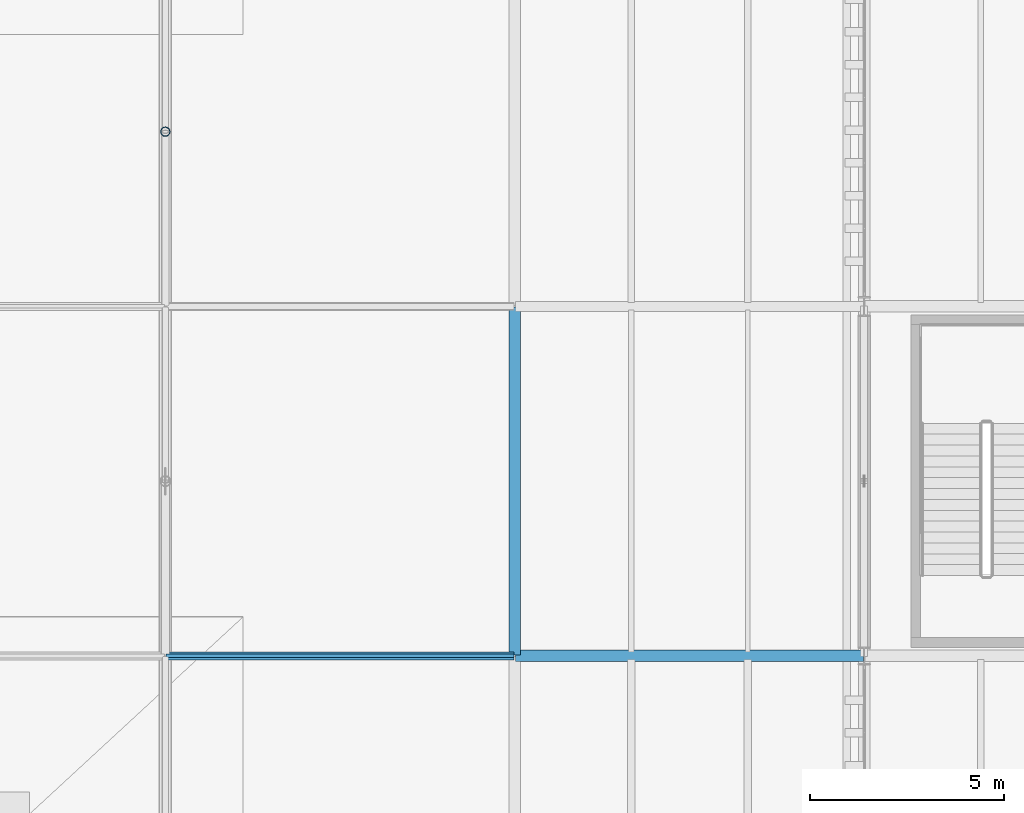
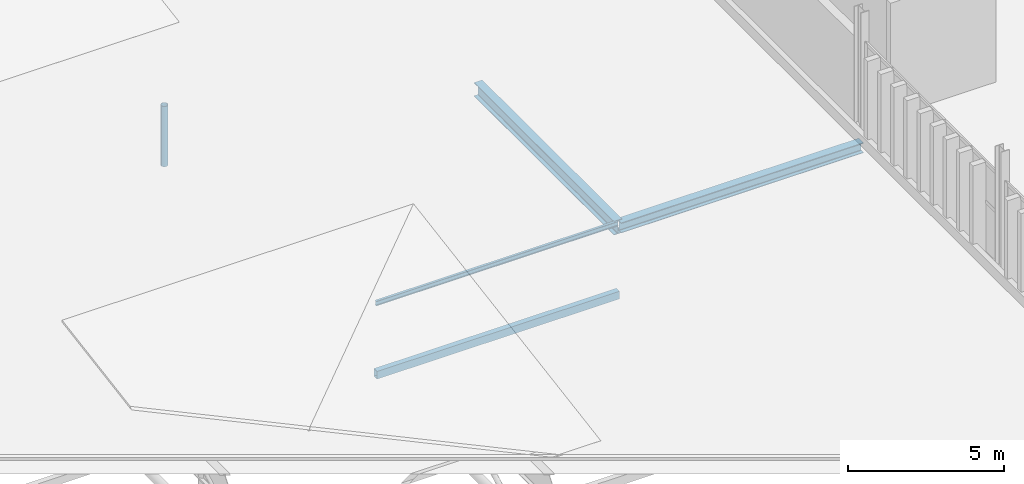
# One storey, part 88 of 196: 3 members, 2 beams.
"""IFC4 building model written with IfcOpenShell, lengths in metres."""

from ifc_helpers import new_model, si_unit, direction, frame, origin, origin_2d, place, context, subcontext, project, spatial, hollow_rectangle, hollow_circle, i_section, extrude, material, material_profile, profile_set, type_object, element, save


model = new_model("IFC4")

# Units and contexts
model_context = context("Model", 3, precision=1e-05, world=origin(), true_north=direction((0.0, 1.0)))
body_context = subcontext(model_context, "Body", "Model", "MODEL_VIEW")
ifc_project = project(units=[si_unit("LENGTHUNIT", "METRE"), si_unit("AREAUNIT", "SQUARE_METRE"), si_unit("VOLUMEUNIT", "CUBIC_METRE"), si_unit("PLANEANGLEUNIT", "RADIAN"), si_unit("MASSUNIT", "GRAM", prefix="KILO")], contexts=[model_context])

# Site, building, storey
site_placement = place(None, origin())
site = spatial("IfcSite", under=ifc_project, at=site_placement, CompositionType="ELEMENT")
building_placement = place(site_placement, origin())
building = spatial("IfcBuilding", under=site, at=building_placement, Name="Barlavento Convention Centre", CompositionType="ELEMENT")
storey_placement = place(building_placement, frame((0.0, 0.0, 18.0)))
storey = spatial("IfcBuildingStorey", under=building, at=storey_placement, Name="L03", CompositionType="ELEMENT", Elevation=18.0)

# Beams
ifc_material = material(Name="Steel S355", Category="steel")
ifc_material_profile_1 = material_profile(ifc_material, i_section(OverallWidth=0.300048828125, OverallDepth=0.5400390625, WebThickness=0.012451171875, FlangeThickness=0.02392578125, FilletRadius=0.027099609375, at=origin_2d()), Name="HEA 550")
ifc_profile_set_1 = profile_set([ifc_material_profile_1], Name="Steel S355")
beam_type_1 = type_object("IfcBeamType", Name="STR-BM-PRI-HEA550", PredefinedType="BEAM", material=ifc_profile_set_1)
beam_1_placement = place(storey_placement, frame((117.0, 81.02001953125, -0.614990234375), z_axis=(0.0, 1.0, 0.0), x_axis=(-1.0, 0.0, 0.0)))
element("IfcBeam", 1, at=beam_1_placement, inside=storey, type_object=beam_type_1, Name="L03 grid girder BG19", PredefinedType="BEAM", context=body_context, shape_type="SweptSolid", body=[
    extrude(i_section(OverallWidth=0.300048828125, OverallDepth=0.5400390625, WebThickness=0.012451171875, FlangeThickness=0.02392578125, FilletRadius=0.027099609375, at=origin_2d()), origin(), (0.0, 0.0, 1.0), 8.9599609375),
])
ifc_material_profile_2 = material_profile(ifc_material, i_section(OverallWidth=0.300048828125, OverallDepth=0.39990234375, WebThickness=0.013427734375, FlangeThickness=0.02392578125, FilletRadius=0.027099609375, at=origin_2d()), Name="HEB 400")
ifc_profile_set_2 = profile_set([ifc_material_profile_2], Name="Steel S355")
beam_type_2 = type_object("IfcBeamType", Name="STR-BM-PRI-HEB400", PredefinedType="BEAM", material=ifc_profile_set_2)
beam_2_placement = place(storey_placement, frame((117.02001953125, 81.0, -0.56005859375), z_axis=(1.0, 0.0, 0.0), x_axis=(0.0, 1.0, 0.0)))
element("IfcBeam", 2, at=beam_2_placement, inside=storey, type_object=beam_type_2, Name="L03 primary girder BG11", PredefinedType="BEAM", context=body_context, shape_type="SweptSolid", body=[
    extrude(i_section(OverallWidth=0.300048828125, OverallDepth=0.39990234375, WebThickness=0.013427734375, FlangeThickness=0.02392578125, FilletRadius=0.027099609375, at=origin_2d()), origin(), (0.0, 0.0, 1.0), 8.9599609375),
])

# Members
ifc_material_profile_3 = material_profile(ifc_material, hollow_rectangle(XDim=0.199951171875, YDim=0.300048828125, WallThickness=0.012451171875, at=origin_2d()), Name="RHS 300x200x12.5")
ifc_profile_set_3 = profile_set([ifc_material_profile_3], Name="Steel S355")
member_type_1 = type_object("IfcMemberType", Name="STR-MEM-COL-RHS300", PredefinedType="COLLAR", material=ifc_profile_set_3)
member_1_placement = place(storey_placement, frame((108.02001953125, 81.0, -3.199951171875), z_axis=(1.0, 0.0, 0.0), x_axis=(0.0, 1.0, 0.0)))
element("IfcMember", 3, at=member_1_placement, inside=storey, type_object=member_type_1, Name="Exhibition space frame transverse chord", PredefinedType="COLLAR", context=body_context, shape_type="SweptSolid", body=[
    extrude(hollow_rectangle(XDim=0.199951171875, YDim=0.300048828125, WallThickness=0.012451171875, at=origin_2d()), origin(), (0.0, 0.0, 1.0), 8.9599609375),
])
ifc_material_profile_4 = material_profile(ifc_material, i_section(OverallWidth=0.091064453125, OverallDepth=0.179931640625, WebThickness=0.00537109375, FlangeThickness=0.008056640625, FilletRadius=0.009033203125, at=origin_2d()), Name="IPE 180")
ifc_profile_set_4 = profile_set([ifc_material_profile_4], Name="Steel S355")
member_type_2 = type_object("IfcMemberType", Name="STR-MEM-PUR-IPE180", PredefinedType="PURLIN", material=ifc_profile_set_4)
member_2_placement = place(storey_placement, frame((108.02001953125, 81.0, -0.43505859375), z_axis=(1.0, 0.0, 0.0), x_axis=(0.0, 1.0, 0.0)))
element("IfcMember", 4, at=member_2_placement, inside=storey, type_object=member_type_2, Name="Exhibition roof purlin", PredefinedType="PURLIN", context=body_context, shape_type="SweptSolid", body=[
    extrude(i_section(OverallWidth=0.091064453125, OverallDepth=0.179931640625, WebThickness=0.00537109375, FlangeThickness=0.008056640625, FilletRadius=0.009033203125, at=origin_2d()), origin(), (0.0, 0.0, 1.0), 8.9599609375),
])
ifc_material_profile_5 = material_profile(ifc_material, hollow_circle(Radius=0.122314453125, WallThickness=0.012451171875, at=origin_2d()), Name="CHS 244.5x12.5")
ifc_profile_set_5 = profile_set([ifc_material_profile_5], Name="Steel S355")
member_type_3 = type_object("IfcMemberType", Name="STR-MEM-STRUT-CHS244", PredefinedType="STRUT", material=ifc_profile_set_5)
member_3_placement = place(storey_placement, frame((108.0, 94.5, -3.199951171875), z_axis=(0.0, 0.0, 1.0), x_axis=(1.0, 0.0, 0.0)))
element("IfcMember", 5, at=member_3_placement, inside=storey, type_object=member_type_3, Name="Exhibition space frame vertical strut", PredefinedType="STRUT", context=body_context, shape_type="SweptSolid", body=[
    extrude(hollow_circle(Radius=0.122314453125, WallThickness=0.012451171875, at=origin_2d()), origin(), (0.0, 0.0, 1.0), 2.35498046875),
])

save(model, "model.ifc")
